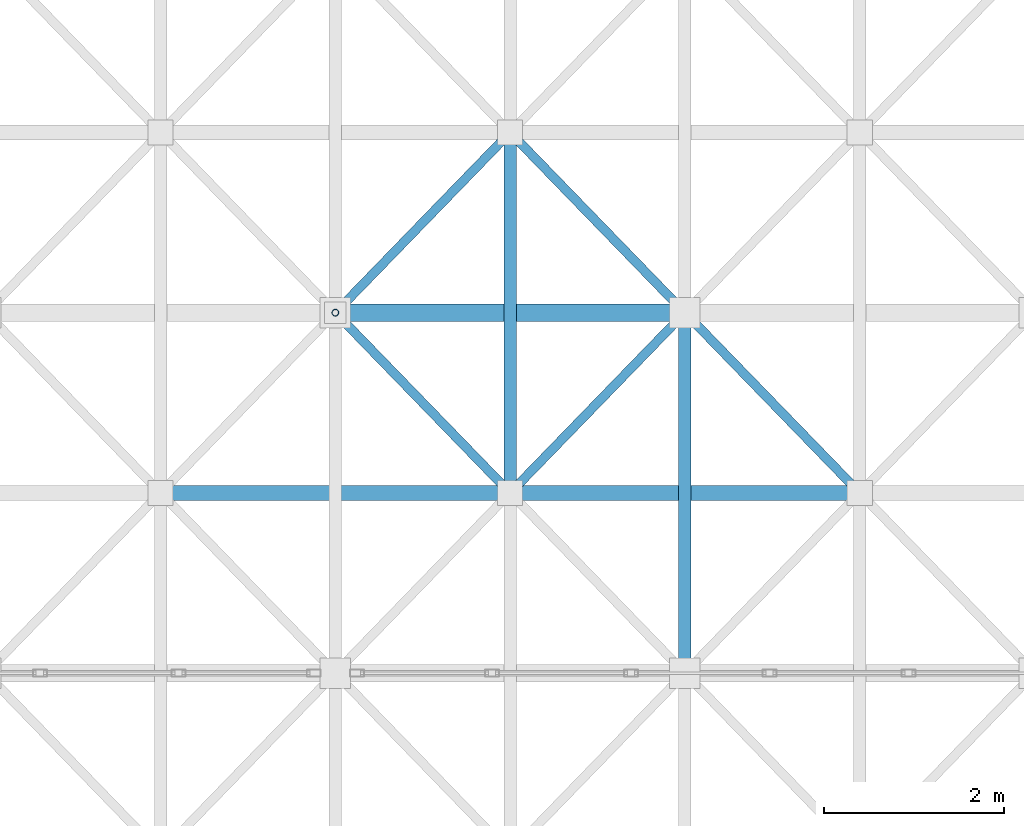
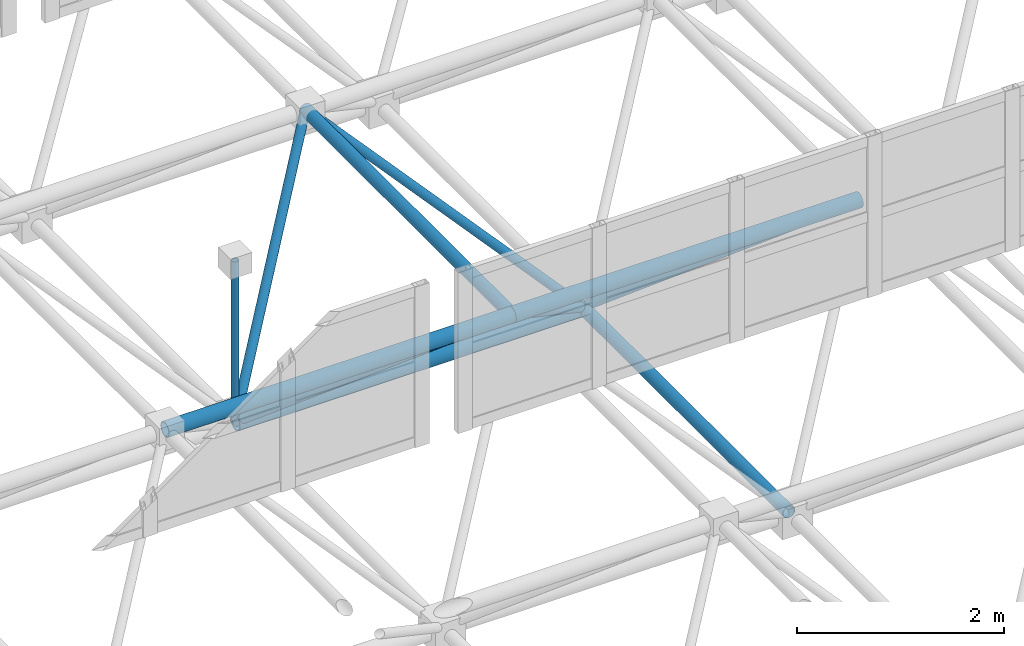
# One storey, part 89 of 195: 11 members.
"""IFC4 building model written with IfcOpenShell, lengths in metres."""

from ifc_helpers import new_model, si_unit, direction, frame, origin, origin_2d, place, context, subcontext, project, spatial, hollow_circle, extrude, material, material_profile, profile_set, type_object, element, save


model = new_model("IFC4")

# Units and contexts
model_context = context("Model", 3, precision=1e-05, world=origin(), true_north=direction((0.0, 1.0)))
body_context = subcontext(model_context, "Body", "Model", "MODEL_VIEW")
ifc_project = project(units=[si_unit("LENGTHUNIT", "METRE"), si_unit("AREAUNIT", "SQUARE_METRE"), si_unit("VOLUMEUNIT", "CUBIC_METRE"), si_unit("PLANEANGLEUNIT", "RADIAN"), si_unit("MASSUNIT", "GRAM", prefix="KILO")], contexts=[model_context])

# Site, building, storey
site_placement = place(None, origin())
site = spatial("IfcSite", under=ifc_project, at=site_placement, CompositionType="ELEMENT")
building_placement = place(site_placement, origin())
building = spatial("IfcBuilding", under=site, at=building_placement, Name="Kharva Crest Polytechnic", CompositionType="ELEMENT")
storey_placement = place(building_placement, frame((0.0, 0.0, 9.0)))
storey = spatial("IfcBuildingStorey", under=building, at=storey_placement, Name="L02", CompositionType="ELEMENT", Elevation=9.0)

# Members
ifc_material = material(Name="Steel S355", Category="steel")
ifc_material_profile_1 = material_profile(ifc_material, hollow_circle(Radius=0.05078125, WallThickness=0.0048828125, at=origin_2d()), Name="CHS 101.6X5.0")
ifc_profile_set_1 = profile_set([ifc_material_profile_1], Name="Steel S355")
member_type_1 = type_object("IfcMemberType", Name="MEM-CHS101", PredefinedType="BRACE", material=ifc_profile_set_1)
for number, where, z_axis, x_axis, name in (
    (1, (16.0, 74.800048828125, 0.60009765625), (0.584843378742, -0.602949529154, 0.542595694449), (0.717802189577, 0.696247094528, 0.0), "Space Frame Web Diagonal 707"),
    (2, (19.8798828125, 74.800048828125, 0.60009765625), (-0.584843378742, -0.602949529154, 0.542595694449), (0.717802189577, -0.696247094528, 0.0), "Space Frame Web Diagonal 708"),
    (3, (16.0, 74.800048828125, 0.60009765625), (0.584843378742, 0.602949529154, 0.542595694449), (-0.717802189577, 0.696247094528, 0.0), "Space Frame Web Diagonal 709"),
    (4, (19.8798828125, 74.800048828125, 0.60009765625), (-0.584843378742, 0.602949529154, 0.542595694449), (-0.717802189577, -0.696247094528, 0.0), "Space Frame Web Diagonal 710"),
    (5, (19.8798828125, 74.800048828125, 0.60009765625), (0.584891802813, -0.602923574763, 0.542572338032), (0.717758400015, 0.696292236929, 0.0), "Space Frame Web Diagonal 763"),
):
    element("IfcMember", number, at=place(storey_placement, frame(where, z_axis=z_axis, x_axis=x_axis)), inside=storey, type_object=member_type_1, Name=name, PredefinedType="BRACE", context=body_context, shape_type="SweptSolid", body=[
        extrude(hollow_circle(Radius=0.05078125, WallThickness=0.0048828125, at=origin_2d()), origin(), (0.0, 0.0, 1.0), 3.317138671875),
    ])
ifc_material_profile_2 = material_profile(ifc_material, hollow_circle(Radius=0.06982421875, WallThickness=0.00634765625, at=origin_2d()), Name="CHS 139.7X6.3")
ifc_profile_set_2 = profile_set([ifc_material_profile_2], Name="Steel S355")
member_type_2 = type_object("IfcMemberType", Name="MEM-CHS139", PredefinedType="CHORD", material=ifc_profile_set_2)
for number, where, z_axis, x_axis, name in (
    (6, (19.8798828125, 70.800048828125, 0.60009765625), (0.0, 1.0, 0.0), (-1.0, 0.0, 0.0), "Space Frame Bottom Chord Y 199"),
    (7, (17.93994140625, 72.800048828125, 2.39990234375), (0.0, 1.0, 0.0), (-1.0, 0.0, 0.0), "Space Frame Top Chord Y 405"),
):
    element("IfcMember", number, at=place(storey_placement, frame(where, z_axis=z_axis, x_axis=x_axis)), inside=storey, type_object=member_type_2, Name=name, PredefinedType="CHORD", context=body_context, shape_type="SweptSolid", body=[
        extrude(hollow_circle(Radius=0.06982421875, WallThickness=0.00634765625, at=origin_2d()), origin(), (0.0, 0.0, 1.0), 4.0),
    ])
ifc_material_profile_3 = material_profile(ifc_material, hollow_circle(Radius=0.084228515625, WallThickness=0.008056640625, at=origin_2d()), Name="CHS 168.3X8.0")
ifc_profile_set_3 = profile_set([ifc_material_profile_3], Name="Steel S355")
member_type_3 = type_object("IfcMemberType", Name="MEM-CHS168", PredefinedType="CHORD", material=ifc_profile_set_3)
member_1_placement = place(storey_placement, frame((14.06005859375, 72.800048828125, 2.39990234375), z_axis=(1.0, 0.0, 0.0), x_axis=(0.0, 1.0, 0.0)))
element("IfcMember", 8, at=member_1_placement, inside=storey, type_object=member_type_3, Name="Space Frame Top Chord X 306", PredefinedType="CHORD", context=body_context, shape_type="SweptSolid", body=[
    extrude(hollow_circle(Radius=0.084228515625, WallThickness=0.008056640625, at=origin_2d()), origin(), (0.0, 0.0, 1.0), 3.8798828125),
])
member_2_placement = place(storey_placement, frame((17.93994140625, 72.800048828125, 2.39990234375), z_axis=(1.0, 0.0, 0.0), x_axis=(0.0, 1.0, 0.0)))
element("IfcMember", 9, at=member_2_placement, inside=storey, type_object=member_type_3, Name="Space Frame Top Chord X 307", PredefinedType="CHORD", context=body_context, shape_type="SweptSolid", body=[
    extrude(hollow_circle(Radius=0.084228515625, WallThickness=0.008056640625, at=origin_2d()), origin(), (0.0, 0.0, 1.0), 3.880126953125),
])
ifc_material_profile_4 = material_profile(ifc_material, hollow_circle(Radius=0.096923828125, WallThickness=0.008056640625, at=origin_2d()), Name="CHS 193.7X8.0")
ifc_profile_set_4 = profile_set([ifc_material_profile_4], Name="Steel S355")
member_type_4 = type_object("IfcMemberType", Name="MEM-CHS193", PredefinedType="CHORD", material=ifc_profile_set_4)
member_3_placement = place(storey_placement, frame((16.0, 74.800048828125, 0.60009765625), z_axis=(1.0, 0.0, 0.0), x_axis=(0.0, 1.0, 0.0)))
element("IfcMember", 10, at=member_3_placement, inside=storey, type_object=member_type_4, Name="Space Frame Bottom Chord X 77", PredefinedType="CHORD", context=body_context, shape_type="SweptSolid", body=[
    extrude(hollow_circle(Radius=0.096923828125, WallThickness=0.008056640625, at=origin_2d()), origin(), (0.0, 0.0, 1.0), 3.8798828125),
])
ifc_material_profile_5 = material_profile(ifc_material, hollow_circle(Radius=0.0380859375, WallThickness=0.00390625, at=origin_2d()), Name="CHS 76.1X4.0")
ifc_profile_set_5 = profile_set([ifc_material_profile_5], Name="Steel S355")
member_type_5 = type_object("IfcMemberType", Name="MEM-CHS76-ST", PredefinedType="STRUT", material=ifc_profile_set_5)
member_4_placement = place(storey_placement, frame((16.0, 74.800048828125, 0.60009765625), z_axis=(0.0, 0.0, 1.0), x_axis=(1.0, 0.0, 0.0)))
element("IfcMember", 11, at=member_4_placement, inside=storey, type_object=member_type_5, Name="Space Frame Ridge Strut 9", PredefinedType="STRUT", context=body_context, shape_type="SweptSolid", body=[
    extrude(hollow_circle(Radius=0.0380859375, WallThickness=0.00390625, at=origin_2d()), origin(), (0.0, 0.0, 1.0), 1.911865234375),
])

save(model, "model.ifc")
